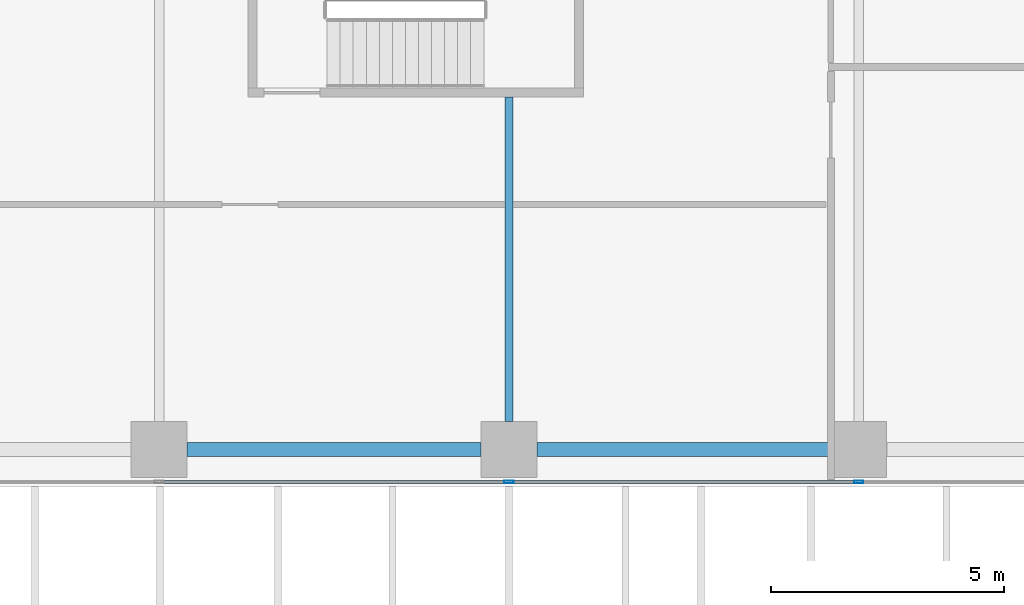
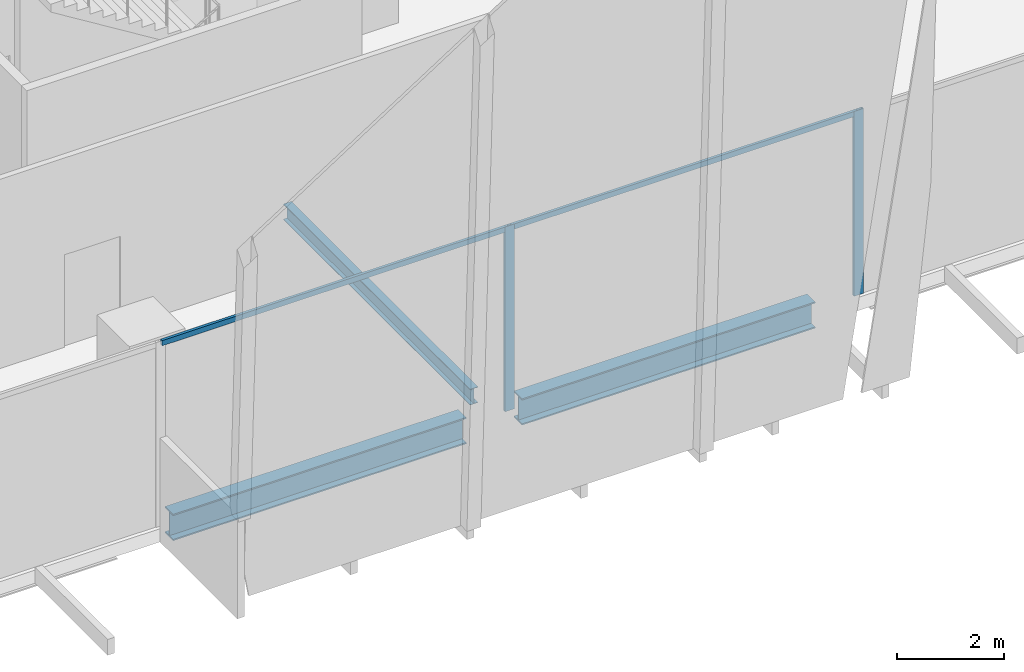
# One storey, part 3 of 34: 4 members, 3 beams, 1 element without a shape of its own.
"""IFC4 building model written with IfcOpenShell, lengths in metres."""

from ifc_helpers import new_model, si_unit, direction, frame, origin, origin_2d, place, context, subcontext, project, spatial, hollow_rectangle, i_section, extrude, source, transform, mapped, material, material_profile, profile_set, type_object, element, aggregate, save


model = new_model("IFC4")

# Units and contexts
model_context = context("Model", 3, precision=1e-05, world=origin(), true_north=direction((0.0, 1.0)))
body_context = subcontext(model_context, "Body", "Model", "MODEL_VIEW")
ifc_project = project(units=[si_unit("LENGTHUNIT", "METRE"), si_unit("AREAUNIT", "SQUARE_METRE"), si_unit("VOLUMEUNIT", "CUBIC_METRE"), si_unit("PLANEANGLEUNIT", "RADIAN"), si_unit("MASSUNIT", "GRAM", prefix="KILO")], contexts=[model_context])

# Site, building, storey
site_placement = place(None, origin())
site = spatial("IfcSite", under=ifc_project, at=site_placement, CompositionType="ELEMENT")
building_placement = place(site_placement, origin())
building = spatial("IfcBuilding", under=site, at=building_placement, Name="Khomas Fold Tower", CompositionType="ELEMENT")
storey_placement = place(building_placement, frame((0.0, 0.0, 73.5)))
storey = spatial("IfcBuildingStorey", under=building, at=storey_placement, Name="L15", CompositionType="ELEMENT", Elevation=73.5)

# Beams
ifc_material_1 = material(Name="Steel S355", Category="steel")
ifc_material_profile_1 = material_profile(ifc_material_1, i_section(OverallWidth=0.169921875, OverallDepth=0.360107421875, WebThickness=0.008056640625, FlangeThickness=0.0126953125, at=origin_2d()), Name="IPE 360")
ifc_profile_set_1 = profile_set([ifc_material_profile_1], Name="Steel S355")
beam_type_1 = type_object("IfcBeamType", Name="IPE 360 beam JB2", PredefinedType="BEAM", material=ifc_profile_set_1)
shared_shape_1 = source(origin(), body_context, "Body", "SweptSolid", [
    extrude(i_section(OverallWidth=0.169921875, OverallDepth=0.360107421875, WebThickness=0.008056640625, FlangeThickness=0.0126953125, at=origin_2d()), origin(), (0.0, 0.0, 1.0), 6.9501953125),
])
beam_placement = place(storey_placement, frame((19.5, 1.39990234375, -0.47998046875), z_axis=(0.0, 1.0, 0.0), x_axis=(-1.0, 0.0, 0.0)))
element("IfcBeam", 1, at=beam_placement, inside=storey, type_object=beam_type_1, Name="JB2", PredefinedType="BEAM", context=body_context, shape_type="MappedRepresentation", body=[
    mapped(shared_shape_1, transform((0.0, 0.0, 0.0))),
])
ifc_material_2 = material(Name="Steel S355", Category="steel")
ifc_material_profile_2 = material_profile(ifc_material_2, i_section(OverallWidth=0.300048828125, OverallDepth=0.60009765625, WebThickness=0.015380859375, FlangeThickness=0.030029296875, at=origin_2d()), Name="HE 600 B")
ifc_profile_set_2 = profile_set([ifc_material_profile_2], Name="Steel S355")
beam_type_2 = type_object("IfcBeamType", Name="HE 600 B spandrel SB1", PredefinedType="SPANDREL", material=ifc_profile_set_2)
shared_shape_2 = source(origin(), body_context, "Body", "SweptSolid", [
    extrude(i_section(OverallWidth=0.300048828125, OverallDepth=0.60009765625, WebThickness=0.015380859375, FlangeThickness=0.030029296875, at=origin_2d()), origin(), (0.0, 0.0, 1.0), 6.2998046875),
])
for number, where, z_axis, x_axis, name in (
    (2, (12.60009765625, 0.800048828125, -0.60009765625), (1.0, 0.0, 0.0), (0.0, 1.0, 0.0), "SB1"),
    (3, (20.10009765625, 0.800048828125, -0.60009765625), (1.0, 0.0, 0.0), (0.0, 1.0, 0.0), "SB1"),
):
    element("IfcBeam", number, at=place(storey_placement, frame(where, z_axis=z_axis, x_axis=x_axis)), inside=storey, type_object=beam_type_2, Name=name, PredefinedType="SPANDREL", context=body_context, shape_type="MappedRepresentation", body=[
        mapped(shared_shape_2, transform((0.0, 0.0, 0.0))),
    ])

# Curtain wall, members
ifc_material_3 = material(Name="Aluminium framed double glazing", Category="aluminium")
curtain_wall_type = type_object("IfcCurtainWallType", Name="SK-Unitised clear-glass wall, growing floors CW1", PredefinedType="NOTDEFINED", material=ifc_material_3)
curtain_wall_placement = place(storey_placement, origin())
curtain_wall = element("IfcCurtainWall", 4, at=curtain_wall_placement, inside=storey, type_object=curtain_wall_type, Name="CW1 run L15 00-0", PredefinedType="NOTDEFINED")
ifc_material_4 = material(Name="Aluminium", Category="aluminium")
ifc_material_profile_3 = material_profile(ifc_material_4, hollow_rectangle(XDim=0.06005859375, YDim=0.1201171875, WallThickness=0.00390625, at=origin_2d()), Name="SK-Unitised clear-glass wall, growing floors transom CW1-T")
ifc_profile_set_3 = profile_set([ifc_material_profile_3], Name="Aluminium")
member_type_1 = type_object("IfcMemberType", Name="SK-Unitised clear-glass wall, growing floors transom CW1-T", PredefinedType="USERDEFINED", material=ifc_profile_set_3)
shared_shape_3 = source(origin(), body_context, "Body", "SweptSolid", [
    extrude(hollow_rectangle(XDim=0.06005859375, YDim=0.1201171875, WallThickness=0.00390625, at=origin_2d()), origin(), (0.0, 0.0, 1.0), 7.43994140625),
])
member_1_placement = place(storey_placement, frame((12.030029296875, 0.10009765625, 4.139892578125), z_axis=(1.0, 0.0, 0.0), x_axis=(0.0, 1.0, 0.0)))
member_1 = element("IfcMember", 5, at=member_1_placement, type_object=member_type_1, Name="CW1 transom 3", ObjectType="TRANSOM", PredefinedType="USERDEFINED", context=body_context, shape_type="MappedRepresentation", body=[
    mapped(shared_shape_3, transform((0.0, 0.0, 0.0))),
])
member_2_placement = place(storey_placement, frame((19.530029296875, 0.10009765625, 4.139892578125), z_axis=(1.0, 0.0, 0.0), x_axis=(0.0, 1.0, 0.0)))
member_2 = element("IfcMember", 6, at=member_2_placement, type_object=member_type_1, Name="CW1 transom 4", ObjectType="TRANSOM", PredefinedType="USERDEFINED", context=body_context, shape_type="MappedRepresentation", body=[
    mapped(shared_shape_3, transform((0.0, 0.0, 0.0))),
])
ifc_material_5 = material(Name="Aluminium", Category="aluminium")
ifc_material_profile_4 = material_profile(ifc_material_5, hollow_rectangle(XDim=0.06005859375, YDim=0.199951171875, WallThickness=0.00390625, at=origin_2d()), Name="SK-Unitised clear-glass wall, growing floors mullion CW1-M")
ifc_profile_set_4 = profile_set([ifc_material_profile_4], Name="Aluminium")
member_type_2 = type_object("IfcMemberType", Name="SK-Unitised clear-glass wall, growing floors mullion CW1-M", PredefinedType="MULLION", material=ifc_profile_set_4)
shared_shape_4 = source(origin(), body_context, "Body", "SweptSolid", [
    extrude(hollow_rectangle(XDim=0.06005859375, YDim=0.199951171875, WallThickness=0.00390625, at=origin_2d()), origin(), (0.0, 0.0, 1.0), 4.199951171875),
])
member_3_placement = place(storey_placement, frame((19.5, 0.10009765625, 0.0), z_axis=(0.0, 0.0, 1.0), x_axis=(0.0, 1.0, 0.0)))
member_3 = element("IfcMember", 7, at=member_3_placement, type_object=member_type_2, Name="CW1 mullion 4", PredefinedType="MULLION", context=body_context, shape_type="MappedRepresentation", body=[
    mapped(shared_shape_4, transform((0.0, 0.0, 0.0))),
])
member_4_placement = place(storey_placement, frame((27.0, 0.10009765625, 0.0), z_axis=(0.0, 0.0, 1.0), x_axis=(0.0, 1.0, 0.0)))
member_4 = element("IfcMember", 8, at=member_4_placement, type_object=member_type_2, Name="CW1 mullion 5", PredefinedType="MULLION", context=body_context, shape_type="MappedRepresentation", body=[
    mapped(shared_shape_4, transform((0.0, 0.0, 0.0))),
])
aggregate(curtain_wall, [member_3, member_4, member_1, member_2])

save(model, "model.ifc")
